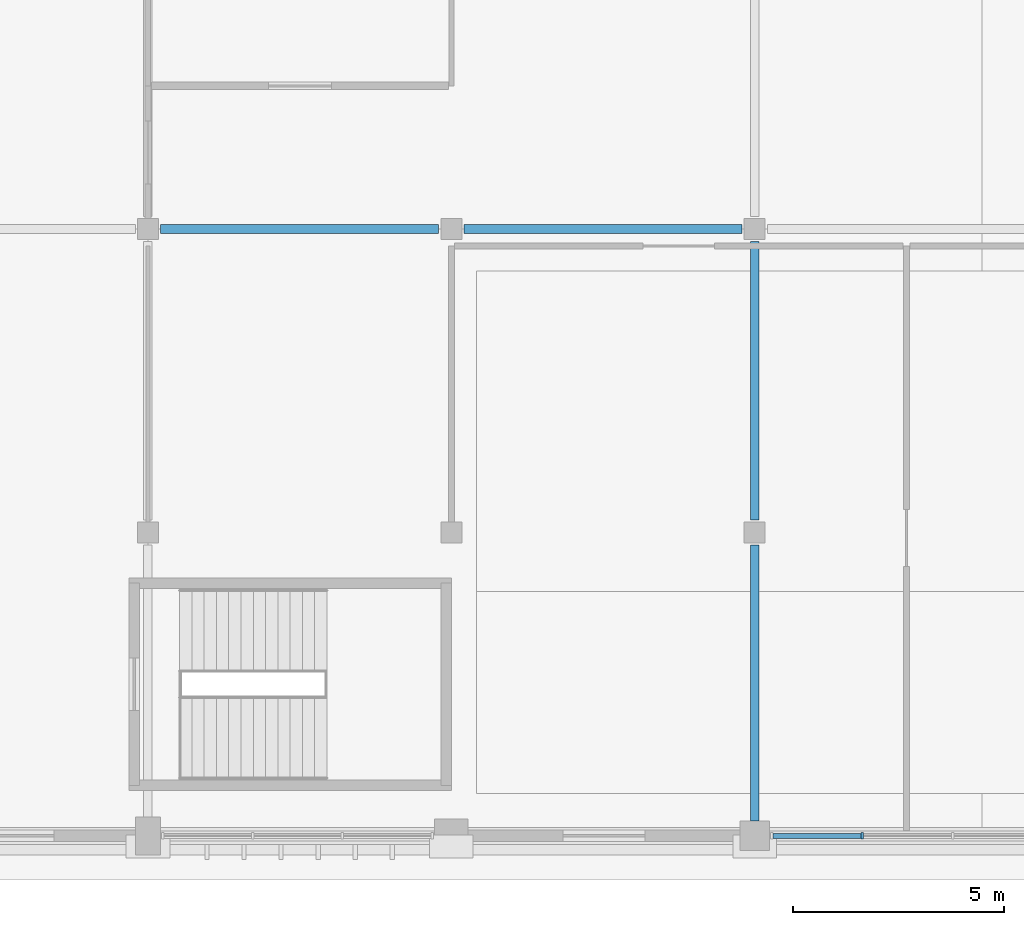
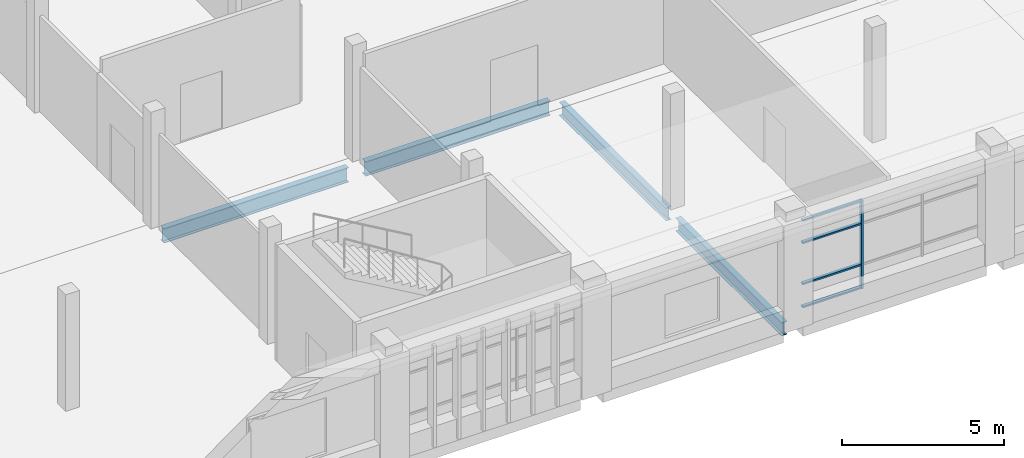
# One storey, part 9 of 71: 5 members, 4 beams, 1 element without a shape of its own.
"""IFC4 building model written with IfcOpenShell, lengths in metres."""

from ifc_helpers import new_model, si_unit, direction, frame, origin, origin_2d, place, context, subcontext, project, spatial, rectangle, i_section, extrude, material, material_profile, profile_set, type_object, element, aggregate, save


model = new_model("IFC4")

# Units and contexts
model_context = context("Model", 3, precision=1e-05, world=origin(), true_north=direction((0.0, 1.0)))
body_context = subcontext(model_context, "Body", "Model", "MODEL_VIEW")
ifc_project = project(units=[si_unit("LENGTHUNIT", "METRE"), si_unit("AREAUNIT", "SQUARE_METRE"), si_unit("VOLUMEUNIT", "CUBIC_METRE"), si_unit("PLANEANGLEUNIT", "RADIAN"), si_unit("MASSUNIT", "GRAM", prefix="KILO")], contexts=[model_context])

# Site, building, storey
site_placement = place(None, origin())
site = spatial("IfcSite", under=ifc_project, at=site_placement, CompositionType="ELEMENT")
building_placement = place(site_placement, origin())
building = spatial("IfcBuilding", under=site, at=building_placement, Name="Sardonyx Promenade Sports Hall", CompositionType="ELEMENT")
storey_placement = place(building_placement, frame((0.0, 0.0, 16.0)))
storey = spatial("IfcBuildingStorey", under=building, at=storey_placement, Name="L03", CompositionType="ELEMENT", Elevation=16.0)

# Beams
ifc_material_1 = material(Name="Steel S355JR", Category="steel")
ifc_material_profile_1 = material_profile(ifc_material_1, i_section(OverallWidth=0.199951171875, OverallDepth=0.5, WebThickness=0.01025390625, FlangeThickness=0.01611328125, at=origin_2d()))
ifc_profile_set_1 = profile_set([ifc_material_profile_1], Name="Steel S355JR")
beam_type_1 = type_object("IfcBeamType", Name="Bm_Primary_IPE500", PredefinedType="BEAM", material=ifc_profile_set_1)
beam_1_placement = place(storey_placement, frame((28.800048828125, 0.35009765625, -0.52001953125), z_axis=(0.0, 1.0, 0.0), x_axis=(-1.0, 0.0, 0.0)))
element("IfcBeam", 1, at=beam_1_placement, inside=storey, type_object=beam_type_1, Name="Beam SB06 L03 #819", PredefinedType="BEAM", context=body_context, shape_type="SweptSolid", body=[
    extrude(i_section(OverallWidth=0.199951171875, OverallDepth=0.5, WebThickness=0.01025390625, FlangeThickness=0.01611328125, at=origin_2d()), origin(), (0.0, 0.0, 1.0), 6.5498046875),
])
beam_2_placement = place(storey_placement, frame((28.800048828125, 7.5, -0.52001953125), z_axis=(0.0, 1.0, 0.0), x_axis=(-1.0, 0.0, 0.0)))
element("IfcBeam", 2, at=beam_2_placement, inside=storey, type_object=beam_type_1, Name="Beam SB06 L03 #820", PredefinedType="BEAM", context=body_context, shape_type="SweptSolid", body=[
    extrude(i_section(OverallWidth=0.199951171875, OverallDepth=0.5, WebThickness=0.01025390625, FlangeThickness=0.01611328125, at=origin_2d()), origin(), (0.0, 0.0, 1.0), 6.60009765625),
])
ifc_material_2 = material(Name="Steel S355JR", Category="steel")
ifc_material_profile_2 = material_profile(ifc_material_2, i_section(OverallWidth=0.2099609375, OverallDepth=0.550048828125, WebThickness=0.010986328125, FlangeThickness=0.01708984375, at=origin_2d()))
ifc_profile_set_2 = profile_set([ifc_material_profile_2], Name="Steel S355JR")
beam_type_2 = type_object("IfcBeamType", Name="Bm_Primary_IPE550", PredefinedType="BEAM", material=ifc_profile_set_2)
for number, where, z_axis, x_axis, name in (
    (3, (14.699951171875, 14.39990234375, -0.544921875), (1.0, 0.0, 0.0), (0.0, 1.0, 0.0), "Beam SB03 L03 #731"),
    (4, (21.89990234375, 14.39990234375, -0.544921875), (1.0, 0.0, 0.0), (0.0, 1.0, 0.0), "Beam SB03 L03 #732"),
):
    element("IfcBeam", number, at=place(storey_placement, frame(where, z_axis=z_axis, x_axis=x_axis)), inside=storey, type_object=beam_type_2, Name=name, PredefinedType="BEAM", context=body_context, shape_type="SweptSolid", body=[
        extrude(i_section(OverallWidth=0.2099609375, OverallDepth=0.550048828125, WebThickness=0.010986328125, FlangeThickness=0.01708984375, at=origin_2d()), origin(), (0.0, 0.0, 1.0), 6.60009765625),
    ])

# Curtain wall, members
ifc_material_3 = material(Name="Aluminium 6063-T6", Category="aluminium")
curtain_wall_type = type_object("IfcCurtainWallType", Name="CW_South_L03_640", PredefinedType="USERDEFINED", material=ifc_material_3)
curtain_wall_placement = place(storey_placement, origin())
curtain_wall = element("IfcCurtainWall", 5, at=curtain_wall_placement, inside=storey, type_object=curtain_wall_type, Name="Curtain wall CW14 cw:L03:046", ObjectType="CURTAIN WALL", PredefinedType="USERDEFINED")
ifc_material_4 = material(Name="Aluminium 6063-T6", Category="aluminium")
ifc_material_profile_3 = material_profile(ifc_material_4, rectangle(XDim=0.06005859375, YDim=0.14990234375, at=origin_2d()))
ifc_profile_set_3 = profile_set([ifc_material_profile_3], Name="Aluminium 6063-T6")
member_type_1 = type_object("IfcMemberType", Name="CW_Mull_150", PredefinedType="MULLION", material=ifc_profile_set_3)
member_1_placement = place(storey_placement, frame((31.35009765625, 0.0, 0.35009765625), z_axis=(0.0, 0.0, 1.0), x_axis=(-1.0, 0.0, 0.0)))
member_1 = element("IfcMember", 6, at=member_1_placement, type_object=member_type_1, Name="Mullion CM01 cw:L03:046 #3", PredefinedType="MULLION", context=body_context, shape_type="SweptSolid", body=[
    extrude(rectangle(XDim=0.06005859375, YDim=0.14990234375, at=origin_2d()), origin(), (0.0, 0.0, 1.0), 3.324951171875),
])
ifc_material_5 = material(Name="Aluminium 6063-T6", Category="aluminium")
ifc_material_profile_4 = material_profile(ifc_material_5, rectangle(XDim=0.06005859375, YDim=0.1201171875, at=origin_2d()))
ifc_profile_set_4 = profile_set([ifc_material_profile_4], Name="Aluminium 6063-T6")
member_type_2 = type_object("IfcMemberType", Name="CW_Tran_120", PredefinedType="USERDEFINED", material=ifc_profile_set_4)
member_2_placement = place(storey_placement, frame((31.320068359375, 0.0, 0.3798828125), z_axis=(-1.0, 0.0, 0.0), x_axis=(0.0, 0.0, 1.0)))
member_2 = element("IfcMember", 7, at=member_2_placement, type_object=member_type_2, Name="Transom CT01 cw:L03:046 #9", ObjectType="TRANSOM", PredefinedType="USERDEFINED", context=body_context, shape_type="SweptSolid", body=[
    extrude(rectangle(XDim=0.06005859375, YDim=0.1201171875, at=origin_2d()), origin(), (0.0, 0.0, 1.0), 2.090087890625),
])
member_3_placement = place(storey_placement, frame((31.320068359375, 0.0, 1.25), z_axis=(-1.0, 0.0, 0.0), x_axis=(0.0, 0.0, 1.0)))
member_3 = element("IfcMember", 8, at=member_3_placement, type_object=member_type_2, Name="Transom CT01 cw:L03:046 #10", ObjectType="TRANSOM", PredefinedType="USERDEFINED", context=body_context, shape_type="SweptSolid", body=[
    extrude(rectangle(XDim=0.06005859375, YDim=0.1201171875, at=origin_2d()), origin(), (0.0, 0.0, 1.0), 2.090087890625),
])
member_4_placement = place(storey_placement, frame((31.320068359375, 0.0, 2.800048828125), z_axis=(-1.0, 0.0, 0.0), x_axis=(0.0, 0.0, 1.0)))
member_4 = element("IfcMember", 9, at=member_4_placement, type_object=member_type_2, Name="Transom CT01 cw:L03:046 #11", ObjectType="TRANSOM", PredefinedType="USERDEFINED", context=body_context, shape_type="SweptSolid", body=[
    extrude(rectangle(XDim=0.06005859375, YDim=0.1201171875, at=origin_2d()), origin(), (0.0, 0.0, 1.0), 2.090087890625),
])
member_5_placement = place(storey_placement, frame((31.320068359375, 0.0, 3.64501953125), z_axis=(-1.0, 0.0, 0.0), x_axis=(0.0, 0.0, 1.0)))
member_5 = element("IfcMember", 10, at=member_5_placement, type_object=member_type_2, Name="Transom CT01 cw:L03:046 #12", ObjectType="TRANSOM", PredefinedType="USERDEFINED", context=body_context, shape_type="SweptSolid", body=[
    extrude(rectangle(XDim=0.06005859375, YDim=0.1201171875, at=origin_2d()), origin(), (0.0, 0.0, 1.0), 2.090087890625),
])
aggregate(curtain_wall, [member_1, member_2, member_3, member_4, member_5])

save(model, "model.ifc")
